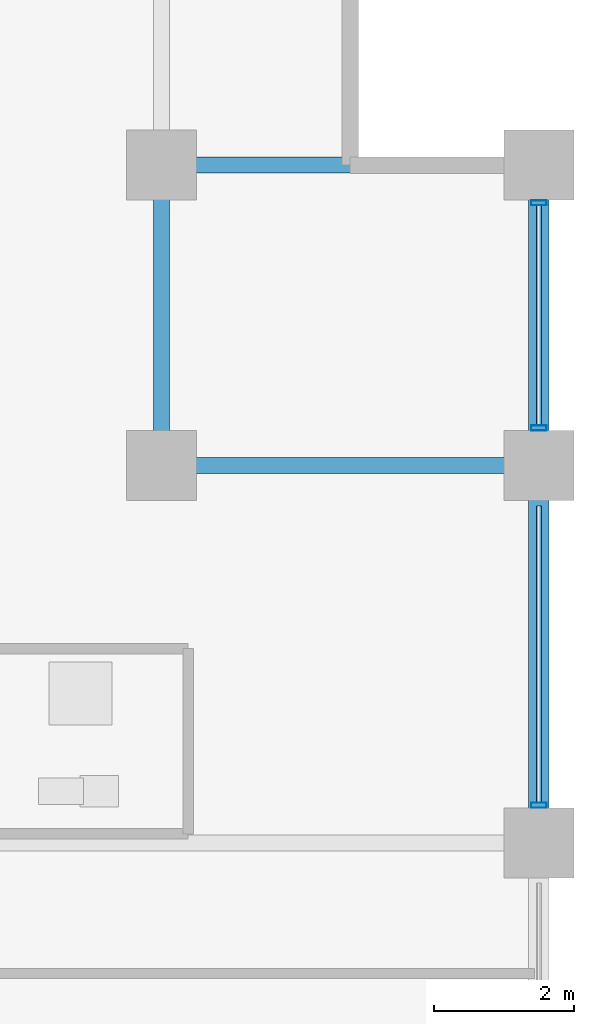
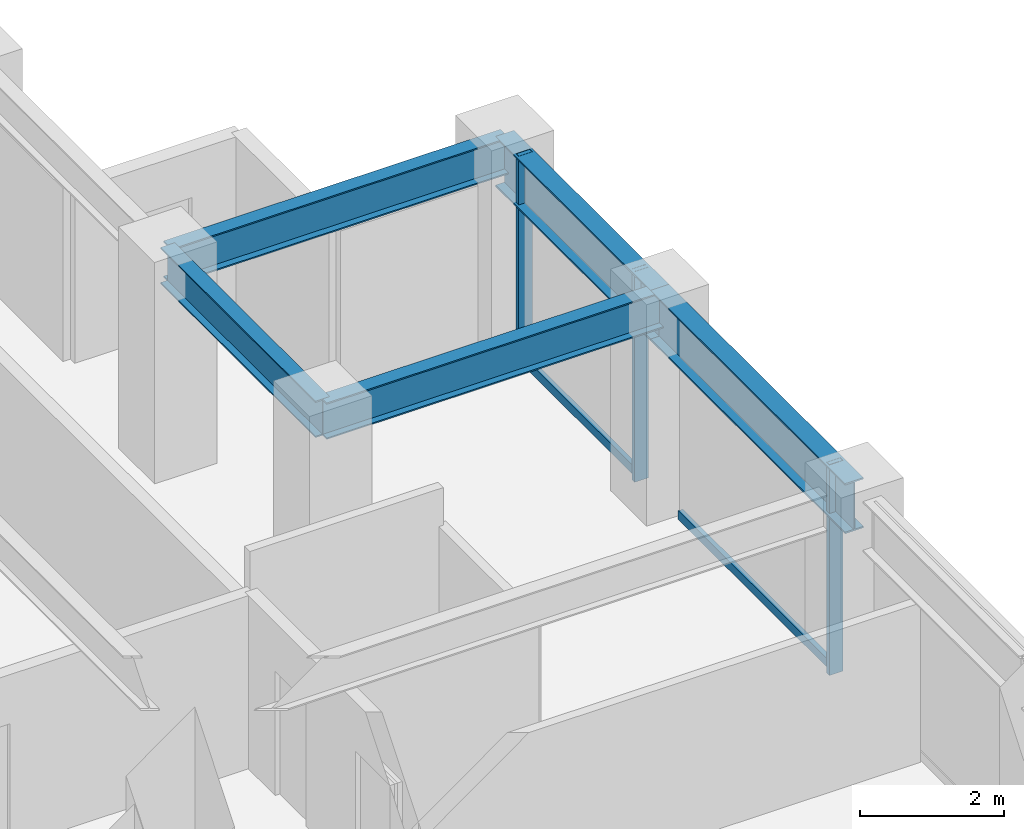
# One storey, part 15 of 23: 5 beams, 5 members, 1 element without a shape of its own.
"""IFC4 building model written with IfcOpenShell, lengths in metres."""

from ifc_helpers import new_model, si_unit, direction, frame, origin, origin_2d, place, context, subcontext, project, spatial, hollow_rectangle, i_section, extrude, material, layer, layer_set, material_profile, profile_set, type_object, element, aggregate, save


model = new_model("IFC4")

# Units and contexts
model_context = context("Model", 3, precision=1e-05, world=origin(), true_north=direction((0.0, 1.0)))
body_context = subcontext(model_context, "Body", "Model", "MODEL_VIEW")
ifc_project = project(units=[si_unit("LENGTHUNIT", "METRE"), si_unit("AREAUNIT", "SQUARE_METRE"), si_unit("VOLUMEUNIT", "CUBIC_METRE"), si_unit("PLANEANGLEUNIT", "RADIAN"), si_unit("MASSUNIT", "GRAM", prefix="KILO")], contexts=[model_context])

# Site, building, storey
site_placement = place(None, origin())
site = spatial("IfcSite", under=ifc_project, at=site_placement, CompositionType="ELEMENT")
building_placement = place(site_placement, origin())
building = spatial("IfcBuilding", under=site, at=building_placement, Name="Surkhivell Harbour Commons", CompositionType="ELEMENT")
storey_placement = place(building_placement, frame((0.0, 0.0, 128.25)))
storey = spatial("IfcBuildingStorey", under=building, at=storey_placement, Name="L33", CompositionType="ELEMENT", Elevation=128.25)

# Beams
ifc_material_1 = material(Name="Steel S355", Category="steel")
ifc_material_profile_1 = material_profile(ifc_material_1, i_section(OverallWidth=0.22998046875, OverallDepth=0.616943359375, WebThickness=0.01318359375, FlangeThickness=0.022216796875, at=origin_2d()), Name="UB610x229x140")
ifc_profile_set_1 = profile_set([ifc_material_profile_1], Name="Steel S355")
beam_type_1 = type_object("IfcBeamType", Name="BM-GRD-610B", PredefinedType="BEAM", material=ifc_profile_set_1)
beam_1_placement = place(storey_placement, frame((16.199951171875, 16.199951171875, 3.261474609375), z_axis=(0.0, 1.0, 0.0), x_axis=(-1.0, 0.0, 0.0)))
element("IfcBeam", 1, at=beam_1_placement, inside=storey, type_object=beam_type_1, Name="L33 Floor Girder (16.2,16.2)", PredefinedType="BEAM", context=body_context, shape_type="SweptSolid", body=[
    extrude(i_section(OverallWidth=0.22998046875, OverallDepth=0.616943359375, WebThickness=0.01318359375, FlangeThickness=0.022216796875, at=origin_2d()), origin(), (0.0, 0.0, 1.0), 4.300048828125),
])
for number, where, z_axis, x_axis, name in (
    (2, (16.199951171875, 16.199951171875, 3.261474609375), (1.0, 0.0, 0.0), (0.0, 1.0, 0.0), "L33 Floor Girder (16.2,16.2)"),
    (3, (16.199951171875, 20.5, 3.261474609375), (1.0, 0.0, 0.0), (0.0, 1.0, 0.0), "L33 Floor Girder (16.2,20.5)"),
):
    element("IfcBeam", number, at=place(storey_placement, frame(where, z_axis=z_axis, x_axis=x_axis)), inside=storey, type_object=beam_type_1, Name=name, PredefinedType="BEAM", context=body_context, shape_type="SweptSolid", body=[
        extrude(i_section(OverallWidth=0.22998046875, OverallDepth=0.616943359375, WebThickness=0.01318359375, FlangeThickness=0.022216796875, at=origin_2d()), origin(), (0.0, 0.0, 1.0), 5.400146484375),
    ])
ifc_material_2 = material(Name="Steel S460", Category="steel")
ifc_material_profile_2 = material_profile(ifc_material_2, i_section(OverallWidth=0.2939453125, OverallDepth=0.85107421875, WebThickness=0.01611328125, FlangeThickness=0.02685546875, at=origin_2d()), Name="UB838x292x226")
ifc_profile_set_2 = profile_set([ifc_material_profile_2], Name="Steel S460")
beam_type_2 = type_object("IfcBeamType", Name="BM-SPN-838", PredefinedType="SPANDREL", material=ifc_profile_set_2)
beam_2_placement = place(storey_placement, frame((21.60009765625, 10.800048828125, 3.14453125), z_axis=(0.0, 1.0, 0.0), x_axis=(-1.0, 0.0, 0.0)))
element("IfcBeam", 4, at=beam_2_placement, inside=storey, type_object=beam_type_2, Name="L33 Tube Spandrel (21.6,10.8)", PredefinedType="SPANDREL", context=body_context, shape_type="SweptSolid", body=[
    extrude(i_section(OverallWidth=0.2939453125, OverallDepth=0.85107421875, WebThickness=0.01611328125, FlangeThickness=0.02685546875, at=origin_2d()), origin(), (0.0, 0.0, 1.0), 5.39990234375),
])
beam_3_placement = place(storey_placement, frame((21.60009765625, 16.199951171875, 3.14453125), z_axis=(0.0, 1.0, 0.0), x_axis=(-1.0, 0.0, 0.0)))
element("IfcBeam", 5, at=beam_3_placement, inside=storey, type_object=beam_type_2, Name="L33 Tube Spandrel (21.6,16.2)", PredefinedType="SPANDREL", context=body_context, shape_type="SweptSolid", body=[
    extrude(i_section(OverallWidth=0.2939453125, OverallDepth=0.85107421875, WebThickness=0.01611328125, FlangeThickness=0.02685546875, at=origin_2d()), origin(), (0.0, 0.0, 1.0), 4.300048828125),
])

# Curtain wall, members
ifc_material_3 = material(Name="Anodised pale-metal aluminium and insulated glazing", Category="aluminium")
ifc_layer = layer(ifc_material_3, 0.205078125)
ifc_layer_set = layer_set([ifc_layer], Name="Anodised pale-metal aluminium and insulated glazing")
curtain_wall_type = type_object("IfcCurtainWallType", Name="CW-SYS-Z2", PredefinedType="NOTDEFINED", material=ifc_layer_set)
curtain_wall_placement = place(storey_placement, origin())
curtain_wall = element("IfcCurtainWall", 6, at=curtain_wall_placement, inside=storey, type_object=curtain_wall_type, Name="L33 Curtain Wall CW-L33-E02", PredefinedType="NOTDEFINED")
ifc_material_4 = material(Name="Anodised pale-metal aluminium alloy 6063-T6", Category="aluminium")
ifc_material_profile_3 = material_profile(ifc_material_4, hollow_rectangle(XDim=0.074951171875, YDim=0.219970703125, WallThickness=0.00390625, at=origin_2d()), Name="ALU-MULL-75x220")
ifc_profile_set_3 = profile_set([ifc_material_profile_3], Name="Anodised pale-metal aluminium alloy 6063-T6")
member_type_1 = type_object("IfcMemberType", Name="CWM-220", PredefinedType="MULLION", material=ifc_profile_set_3)
member_1_placement = place(storey_placement, frame((21.60009765625, 11.339599609375, 0.0), z_axis=(0.0, 0.0, 1.0), x_axis=(0.0, 1.0, 0.0)))
member_1 = element("IfcMember", 7, at=member_1_placement, type_object=member_type_1, Name="CW-Z2 mullion 4", PredefinedType="MULLION", context=body_context, shape_type="SweptSolid", body=[
    extrude(hollow_rectangle(XDim=0.074951171875, YDim=0.219970703125, WallThickness=0.00390625, at=origin_2d()), origin(), (0.0, 0.0, 1.0), 3.570068359375),
])
member_2_placement = place(storey_placement, frame((21.60009765625, 16.739501953125, 0.0), z_axis=(0.0, 0.0, 1.0), x_axis=(0.0, 1.0, 0.0)))
member_2 = element("IfcMember", 8, at=member_2_placement, type_object=member_type_1, Name="CW-Z2 mullion 5", PredefinedType="MULLION", context=body_context, shape_type="SweptSolid", body=[
    extrude(hollow_rectangle(XDim=0.074951171875, YDim=0.219970703125, WallThickness=0.00390625, at=origin_2d()), origin(), (0.0, 0.0, 1.0), 3.570068359375),
])
member_3_placement = place(storey_placement, frame((21.60009765625, 19.96044921875, 0.0), z_axis=(0.0, 0.0, 1.0), x_axis=(0.0, 1.0, 0.0)))
member_3 = element("IfcMember", 9, at=member_3_placement, type_object=member_type_1, Name="CW-Z2 mullion 6", PredefinedType="MULLION", context=body_context, shape_type="SweptSolid", body=[
    extrude(hollow_rectangle(XDim=0.074951171875, YDim=0.219970703125, WallThickness=0.00390625, at=origin_2d()), origin(), (0.0, 0.0, 1.0), 3.570068359375),
])
ifc_material_profile_4 = material_profile(ifc_material_4, hollow_rectangle(XDim=0.074951171875, YDim=0.14990234375, WallThickness=0.00341796875, at=origin_2d()), Name="ALU-TRAN-75x150")
ifc_profile_set_4 = profile_set([ifc_material_profile_4], Name="Anodised pale-metal aluminium alloy 6063-T6")
member_type_2 = type_object("IfcMemberType", Name="CWT-150", PredefinedType="USERDEFINED", material=ifc_profile_set_4)
member_4_placement = place(storey_placement, frame((21.60009765625, 11.376953125, 0.074951171875), z_axis=(0.0, 1.0, 0.0), x_axis=(-1.0, 0.0, 0.0)))
member_4 = element("IfcMember", 10, at=member_4_placement, type_object=member_type_2, Name="CW-Z2 transom 4.1", ObjectType="TRANSOM", PredefinedType="USERDEFINED", context=body_context, shape_type="SweptSolid", body=[
    extrude(hollow_rectangle(XDim=0.074951171875, YDim=0.14990234375, WallThickness=0.00341796875, at=origin_2d()), origin(), (0.0, 0.0, 1.0), 4.24609375),
])
member_5_placement = place(storey_placement, frame((21.60009765625, 16.777099609375, 0.074951171875), z_axis=(0.0, 1.0, 0.0), x_axis=(-1.0, 0.0, 0.0)))
member_5 = element("IfcMember", 11, at=member_5_placement, type_object=member_type_2, Name="CW-Z2 transom 5.1", ObjectType="TRANSOM", PredefinedType="USERDEFINED", context=body_context, shape_type="SweptSolid", body=[
    extrude(hollow_rectangle(XDim=0.074951171875, YDim=0.14990234375, WallThickness=0.00341796875, at=origin_2d()), origin(), (0.0, 0.0, 1.0), 3.14599609375),
])
aggregate(curtain_wall, [member_1, member_4, member_2, member_3, member_5])

save(model, "model.ifc")
